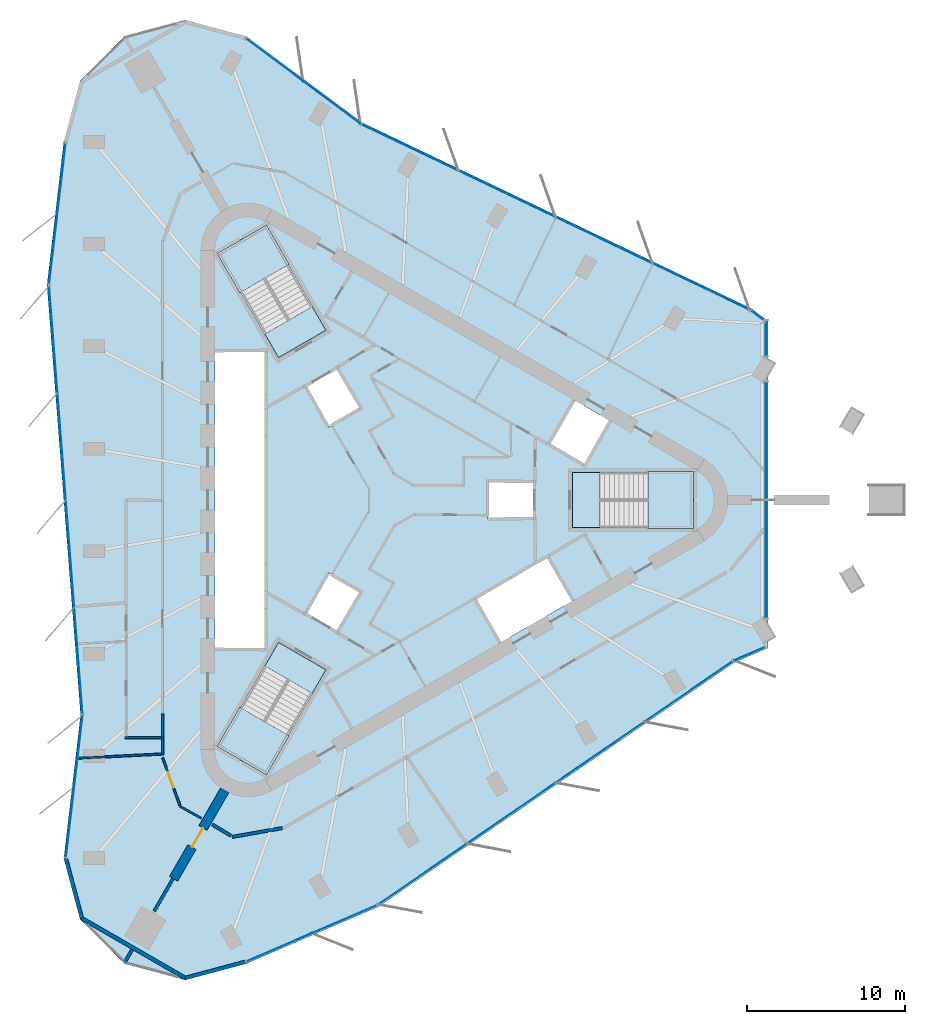
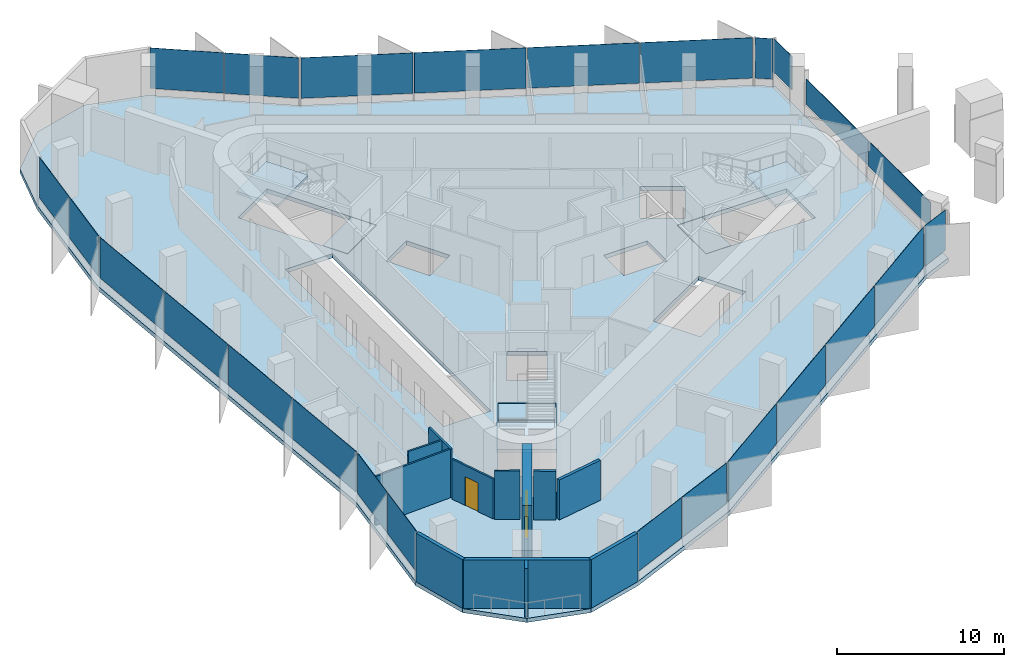
# One storey, part 6 of 12: 25 plates, 13 walls, 7 slabs, 2 doors, 2 openings, 14 elements without a shape of their own.
"""IFC4 building model written with IfcOpenShell, lengths in metres."""

from ifc_helpers import new_model, si_unit, direction, frame, frame_2d, origin, origin_2d, place, context, subcontext, project, spatial, polyline, rectangle, outline, extrude, material, layer, layer_set, type_object, element, fill, aggregate, save


model = new_model("IFC4")

# Units and contexts
model_context = context("Model", 3, precision=1e-05, world=origin(), true_north=direction((0.0, 1.0)))
body_context = subcontext(model_context, "Body", "Model", "MODEL_VIEW")
ifc_project = project(units=[si_unit("LENGTHUNIT", "METRE"), si_unit("AREAUNIT", "SQUARE_METRE"), si_unit("VOLUMEUNIT", "CUBIC_METRE"), si_unit("PLANEANGLEUNIT", "RADIAN"), si_unit("MASSUNIT", "GRAM", prefix="KILO")], contexts=[model_context])

# Site, building, storey
site_placement = place(None, origin())
site = spatial("IfcSite", under=ifc_project, at=site_placement, CompositionType="ELEMENT")
building_placement = place(site_placement, origin())
building = spatial("IfcBuilding", under=site, at=building_placement, Name="Tanit Gate Tower", CompositionType="ELEMENT")
storey_placement = place(building_placement, frame((0.0, 0.0, 388.39990234375)))
storey = spatial("IfcBuildingStorey", under=building, at=storey_placement, Name="L89", CompositionType="ELEMENT", Elevation=388.39990234375)

# Slab
ifc_material_1 = material(Name="Concrete C35/45", Category="concrete")
ifc_layer_1 = layer(ifc_material_1, 0.300048828125)
ifc_layer_set_1 = layer_set([ifc_layer_1], Name="FLOOR SLAB 300 C35/45")
slab_type_1 = type_object("IfcSlabType", Name="FLOOR SLAB 300 C35/45", PredefinedType="FLOOR", material=ifc_layer_set_1)
slab_1_placement = place(storey_placement, frame((0.0, 0.0, -0.2998046875)))
element("IfcSlab", 1, at=slab_1_placement, inside=storey, type_object=slab_type_1, Name="FLOOR SLAB L89", PredefinedType="FLOOR", context=body_context, shape_type="SweptSolid", body=[
    extrude(outline(polyline([(21.5927734375, -10.251220703125), (-0.858642578125, -25.6611328125), (-9.2255859375, -29.26806640625), (-13.061767578125, -30.2958984375), (-16.89794921875, -29.26806640625), (-19.7060546875, -26.459716796875), (-20.73388671875, -22.62353515625), (-19.67431640625, -13.57421875), (-21.793701171875, 13.57421875), (-20.73388671875, 22.62353515625), (-19.7060546875, 26.459716796875), (-16.89794921875, 29.26806640625), (-13.061767578125, 30.2958984375), (-9.2255859375, 29.26806640625), (-1.91845703125, 23.825439453125), (22.652587890625, 12.0869140625), (23.699951171875, 11.306640625), (23.699951171875, -9.3427734375), (29.959716796875, -6.644287109375), (21.5927734375, -10.251220703125)]), holes=[polyline([(11.3701171875, 1.72998046875), (18.929931640625, 1.72998046875), (18.929931640625, -1.72998046875), (11.3701171875, -1.72998046875), (11.3701171875, 1.72998046875)]), polyline([(12.158935546875, 2.159912109375), (9.82080078125, 3.510009765625), (11.44580078125, 6.324462890625), (13.783935546875, 4.974609375), (12.158935546875, 2.159912109375)]), polyline([(11.44580078125, -6.324462890625), (6.76904296875, -9.0244140625), (5.14404296875, -6.2099609375), (9.82080078125, -3.510009765625), (11.44580078125, -6.324462890625)]), polyline([(6.0, 1.199951171875), (9.0, 1.199951171875), (9.0, -1.199951171875), (6.0, -1.199951171875), (6.0, 1.199951171875)]), polyline([(-4.039306640625, 4.59619140625), (-5.539306640625, 7.194091796875), (-3.460693359375, 8.394287109375), (-1.960693359375, 5.796142578125), (-4.039306640625, 4.59619140625)]), polyline([(-1.960693359375, -5.796142578125), (-3.460693359375, -8.394287109375), (-5.539306640625, -7.194091796875), (-4.039306640625, -4.59619140625), (-1.960693359375, -5.796142578125)]), polyline([(-7.18310546875, 8.981689453125), (-10.963134765625, 15.52880859375), (-7.966796875, 17.2587890625), (-4.186767578125, 10.711669921875), (-7.18310546875, 8.981689453125)]), polyline([(-4.186767578125, -10.711669921875), (-7.966796875, -17.2587890625), (-10.963134765625, -15.52880859375), (-7.18310546875, -8.981689453125), (-4.186767578125, -10.711669921875)]), polyline([(-11.199951171875, -9.449951171875), (-11.199951171875, 9.449951171875), (-7.949951171875, 9.449951171875), (-7.949951171875, -9.449951171875), (-11.199951171875, -9.449951171875)])]), origin(), (0.0, 0.0, 1.0), 0.2998046875),
])

# Curtain wall, plate
ifc_material_2 = material(Name="Aluminium bronze anodised and glass", Category="aluminium")
curtain_wall_type_1 = type_object("IfcCurtainWallType", Name="Curtain wall typical high", PredefinedType="NOTDEFINED", material=ifc_material_2)
curtain_wall_1_placement = place(storey_placement, origin())
curtain_wall_1 = element("IfcCurtainWall", 2, at=curtain_wall_1_placement, inside=storey, type_object=curtain_wall_type_1, Name="Curtain wall L89 NE1c", PredefinedType="NOTDEFINED")
ifc_material_3 = material(Name="Glass tinted", Category="glass")
ifc_layer_2 = layer(ifc_material_3, 0.028076171875)
ifc_layer_set_2 = layer_set([ifc_layer_2], Name="Glass panel 28 typical high")
plate_type_1 = type_object("IfcPlateType", Name="Glass panel 28 typical high", PredefinedType="CURTAIN_PANEL", material=ifc_layer_set_2)
plate_1_placement = place(storey_placement, frame((23.08544921875, 11.61474609375, 0.60009765625), z_axis=(0.0, 0.0, 1.0), x_axis=(-0.801987717098, 0.59734052401, 0.0)))
plate_1 = element("IfcPlate", 3, at=plate_1_placement, type_object=plate_type_1, Name="Glass panel L89 NE1c.1", PredefinedType="CURTAIN_PANEL", context=body_context, shape_type="SweptSolid", body=[
    extrude(rectangle(XDim=1.07470703125, YDim=0.028076171875, at=origin_2d()), origin(), (0.0, 0.0, 1.0), 2.949951171875),
])
aggregate(curtain_wall_1, [plate_1])

# Curtain wall, plates
curtain_wall_2_placement = place(storey_placement, origin())
curtain_wall_2 = element("IfcCurtainWall", 4, at=curtain_wall_2_placement, inside=storey, type_object=curtain_wall_type_1, Name="Curtain wall L89 NE2", PredefinedType="NOTDEFINED")
plate_2_placement = place(storey_placement, frame((19.49169921875, 13.4638671875, 0.60009765625), z_axis=(0.0, 0.0, 1.0), x_axis=(-0.902317145415, 0.431072811819, 0.0)))
plate_2 = element("IfcPlate", 5, at=plate_2_placement, type_object=plate_type_1, Name="Glass panel L89 NE2.1", PredefinedType="CURTAIN_PANEL", context=body_context, shape_type="SweptSolid", body=[
    extrude(rectangle(XDim=6.707763671875, YDim=0.028076171875, at=origin_2d()), origin(), (0.0, 0.0, 1.0), 2.949951171875),
])
plate_3_placement = place(storey_placement, frame((13.3671875, 16.389892578125, 0.60009765625), z_axis=(0.0, 0.0, 1.0), x_axis=(-0.902317145415, 0.431072811819, 0.0)))
plate_3 = element("IfcPlate", 6, at=plate_3_placement, type_object=plate_type_1, Name="Glass panel L89 NE2.2", PredefinedType="CURTAIN_PANEL", context=body_context, shape_type="SweptSolid", body=[
    extrude(rectangle(XDim=6.707763671875, YDim=0.028076171875, at=origin_2d()), origin(), (0.0, 0.0, 1.0), 2.949951171875),
])
plate_4_placement = place(storey_placement, frame((7.242431640625, 19.31591796875, 0.60009765625), z_axis=(0.0, 0.0, 1.0), x_axis=(-0.902317145415, 0.431072811819, 0.0)))
plate_4 = element("IfcPlate", 7, at=plate_4_placement, type_object=plate_type_1, Name="Glass panel L89 NE2.3", PredefinedType="CURTAIN_PANEL", context=body_context, shape_type="SweptSolid", body=[
    extrude(rectangle(XDim=6.707763671875, YDim=0.028076171875, at=origin_2d()), origin(), (0.0, 0.0, 1.0), 2.949951171875),
])
plate_5_placement = place(storey_placement, frame((1.11767578125, 22.241943359375, 0.60009765625), z_axis=(0.0, 0.0, 1.0), x_axis=(-0.902317145415, 0.431072811819, 0.0)))
plate_5 = element("IfcPlate", 8, at=plate_5_placement, type_object=plate_type_1, Name="Glass panel L89 NE2.4", PredefinedType="CURTAIN_PANEL", context=body_context, shape_type="SweptSolid", body=[
    extrude(rectangle(XDim=6.707763671875, YDim=0.028076171875, at=origin_2d()), origin(), (0.0, 0.0, 1.0), 2.949951171875),
])
aggregate(curtain_wall_2, [plate_2, plate_3, plate_4, plate_5])

curtain_wall_3_placement = place(storey_placement, origin())
curtain_wall_3 = element("IfcCurtainWall", 9, at=curtain_wall_3_placement, inside=storey, type_object=curtain_wall_type_1, Name="Curtain wall L89 NE3", PredefinedType="NOTDEFINED")
plate_6_placement = place(storey_placement, frame((-3.8212890625, 25.093017578125, 0.60009765625), z_axis=(0.0, 0.0, 1.0), x_axis=(-0.801987717098, 0.59734052401, 0.0)))
plate_6 = element("IfcPlate", 10, at=plate_6_placement, type_object=plate_type_1, Name="Glass panel L89 NE3.1", PredefinedType="CURTAIN_PANEL", context=body_context, shape_type="SweptSolid", body=[
    extrude(rectangle(XDim=4.429931640625, YDim=0.028076171875, at=origin_2d()), origin(), (0.0, 0.0, 1.0), 2.949951171875),
])
plate_7_placement = place(storey_placement, frame((-7.438232421875, 27.787109375, 0.60009765625), z_axis=(0.0, 0.0, 1.0), x_axis=(-0.801987717098, 0.59734052401, 0.0)))
plate_7 = element("IfcPlate", 11, at=plate_7_placement, type_object=plate_type_1, Name="Glass panel L89 NE3.2", PredefinedType="CURTAIN_PANEL", context=body_context, shape_type="SweptSolid", body=[
    extrude(rectangle(XDim=4.429931640625, YDim=0.028076171875, at=origin_2d()), origin(), (0.0, 0.0, 1.0), 2.949951171875),
])
aggregate(curtain_wall_3, [plate_6, plate_7])

curtain_wall_4_placement = place(storey_placement, origin())
curtain_wall_4 = element("IfcCurtainWall", 12, at=curtain_wall_4_placement, inside=storey, type_object=curtain_wall_type_1, Name="Curtain wall L89 W1", PredefinedType="NOTDEFINED")
plate_8_placement = place(storey_placement, frame((-20.882568359375, 20.323974609375, 0.60009765625), z_axis=(0.0, 0.0, 1.0), x_axis=(-0.116318209953, -0.993211998535, 0.0)))
plate_8 = element("IfcPlate", 13, at=plate_8_placement, type_object=plate_type_1, Name="Glass panel L89 W1.1", PredefinedType="CURTAIN_PANEL", context=body_context, shape_type="SweptSolid", body=[
    extrude(rectangle(XDim=4.42529296875, YDim=0.028076171875, at=origin_2d()), origin(), (0.0, 0.0, 1.0), 2.949951171875),
])
plate_9_placement = place(storey_placement, frame((-21.406494140625, 15.84912109375, 0.60009765625), z_axis=(0.0, 0.0, 1.0), x_axis=(-0.116318209953, -0.993211998535, 0.0)))
plate_9 = element("IfcPlate", 14, at=plate_9_placement, type_object=plate_type_1, Name="Glass panel L89 W1.2", PredefinedType="CURTAIN_PANEL", context=body_context, shape_type="SweptSolid", body=[
    extrude(rectangle(XDim=4.425537109375, YDim=0.028076171875, at=origin_2d()), origin(), (0.0, 0.0, 1.0), 2.949951171875),
])
aggregate(curtain_wall_4, [plate_8, plate_9])

curtain_wall_5_placement = place(storey_placement, origin())
curtain_wall_5 = element("IfcCurtainWall", 15, at=curtain_wall_5_placement, inside=storey, type_object=curtain_wall_type_1, Name="Curtain wall L89 W2", PredefinedType="NOTDEFINED")
plate_10_placement = place(storey_placement, frame((-21.406005859375, 10.1484375, 0.60009765625), z_axis=(0.0, 0.0, 1.0), x_axis=(0.077838566791, -0.996965976109, 0.0)))
plate_10 = element("IfcPlate", 16, at=plate_10_placement, type_object=plate_type_1, Name="Glass panel L89 W2.1", PredefinedType="CURTAIN_PANEL", context=body_context, shape_type="SweptSolid", body=[
    extrude(rectangle(XDim=6.707763671875, YDim=0.028076171875, at=origin_2d()), origin(), (0.0, 0.0, 1.0), 2.949951171875),
])
plate_11_placement = place(storey_placement, frame((-20.877685546875, 3.38134765625, 0.60009765625), z_axis=(0.0, 0.0, 1.0), x_axis=(0.077838566791, -0.996965976109, 0.0)))
plate_11 = element("IfcPlate", 17, at=plate_11_placement, type_object=plate_type_1, Name="Glass panel L89 W2.2", PredefinedType="CURTAIN_PANEL", context=body_context, shape_type="SweptSolid", body=[
    extrude(rectangle(XDim=6.707763671875, YDim=0.028076171875, at=origin_2d()), origin(), (0.0, 0.0, 1.0), 2.949951171875),
])
plate_12_placement = place(storey_placement, frame((-20.349365234375, -3.385986328125, 0.60009765625), z_axis=(0.0, 0.0, 1.0), x_axis=(0.077838566791, -0.996965976109, 0.0)))
plate_12 = element("IfcPlate", 18, at=plate_12_placement, type_object=plate_type_1, Name="Glass panel L89 W2.3", PredefinedType="CURTAIN_PANEL", context=body_context, shape_type="SweptSolid", body=[
    extrude(rectangle(XDim=6.707763671875, YDim=0.028076171875, at=origin_2d()), origin(), (0.0, 0.0, 1.0), 2.949951171875),
])
plate_13_placement = place(storey_placement, frame((-19.82080078125, -10.153076171875, 0.60009765625), z_axis=(0.0, 0.0, 1.0), x_axis=(0.077838566791, -0.996965976109, 0.0)))
plate_13 = element("IfcPlate", 19, at=plate_13_placement, type_object=plate_type_1, Name="Glass panel L89 W2.4", PredefinedType="CURTAIN_PANEL", context=body_context, shape_type="SweptSolid", body=[
    extrude(rectangle(XDim=6.707763671875, YDim=0.028076171875, at=origin_2d()), origin(), (0.0, 0.0, 1.0), 2.949951171875),
])
aggregate(curtain_wall_5, [plate_10, plate_11, plate_12, plate_13])

curtain_wall_6_placement = place(storey_placement, origin())
curtain_wall_6 = element("IfcCurtainWall", 20, at=curtain_wall_6_placement, inside=storey, type_object=curtain_wall_type_1, Name="Curtain wall L89 W3", PredefinedType="NOTDEFINED")
plate_14_placement = place(storey_placement, frame((-19.820556640625, -15.85595703125, 0.60009765625), z_axis=(0.0, 0.0, 1.0), x_axis=(-0.116318209953, -0.993211998535, 0.0)))
plate_14 = element("IfcPlate", 21, at=plate_14_placement, type_object=plate_type_1, Name="Glass panel L89 W3.1", PredefinedType="CURTAIN_PANEL", context=body_context, shape_type="SweptSolid", body=[
    extrude(rectangle(XDim=4.429931640625, YDim=0.028076171875, at=origin_2d()), origin(), (0.0, 0.0, 1.0), 2.949951171875),
])
plate_15_placement = place(storey_placement, frame((-20.34521484375, -20.335205078125, 0.60009765625), z_axis=(0.0, 0.0, 1.0), x_axis=(-0.116318209953, -0.993211998535, 0.0)))
plate_15 = element("IfcPlate", 22, at=plate_15_placement, type_object=plate_type_1, Name="Glass panel L89 W3.2", PredefinedType="CURTAIN_PANEL", context=body_context, shape_type="SweptSolid", body=[
    extrude(rectangle(XDim=4.429931640625, YDim=0.028076171875, at=origin_2d()), origin(), (0.0, 0.0, 1.0), 2.949951171875),
])
aggregate(curtain_wall_6, [plate_14, plate_15])

curtain_wall_7_placement = place(storey_placement, origin())
curtain_wall_7 = element("IfcCurtainWall", 23, at=curtain_wall_7_placement, inside=storey, type_object=curtain_wall_type_1, Name="Curtain wall L89 SE1", PredefinedType="NOTDEFINED")
plate_16_placement = place(storey_placement, frame((-7.15966796875, -28.246826171875, 0.60009765625), z_axis=(0.0, 0.0, 1.0), x_axis=(0.918305927051, 0.395871474525, 0.0)))
plate_16 = element("IfcPlate", 24, at=plate_16_placement, type_object=plate_type_1, Name="Glass panel L89 SE1.1", PredefinedType="CURTAIN_PANEL", context=body_context, shape_type="SweptSolid", body=[
    extrude(rectangle(XDim=4.42529296875, YDim=0.028076171875, at=origin_2d()), origin(), (0.0, 0.0, 1.0), 2.949951171875),
])
plate_17_placement = place(storey_placement, frame((-3.0224609375, -26.463134765625, 0.60009765625), z_axis=(0.0, 0.0, 1.0), x_axis=(0.918305927051, 0.395871474525, 0.0)))
plate_17 = element("IfcPlate", 25, at=plate_17_placement, type_object=plate_type_1, Name="Glass panel L89 SE1.2", PredefinedType="CURTAIN_PANEL", context=body_context, shape_type="SweptSolid", body=[
    extrude(rectangle(XDim=4.425537109375, YDim=0.028076171875, at=origin_2d()), origin(), (0.0, 0.0, 1.0), 2.949951171875),
])
aggregate(curtain_wall_7, [plate_16, plate_17])

curtain_wall_8_placement = place(storey_placement, origin())
curtain_wall_8 = element("IfcCurtainWall", 26, at=curtain_wall_8_placement, inside=storey, type_object=curtain_wall_type_1, Name="Curtain wall L89 SE2", PredefinedType="NOTDEFINED")
plate_18_placement = place(storey_placement, frame((1.914306640625, -23.6123046875, 0.60009765625), z_axis=(0.0, 0.0, 1.0), x_axis=(0.824478578624, 0.56589316429, 0.0)))
plate_18 = element("IfcPlate", 27, at=plate_18_placement, type_object=plate_type_1, Name="Glass panel L89 SE2.1", PredefinedType="CURTAIN_PANEL", context=body_context, shape_type="SweptSolid", body=[
    extrude(rectangle(XDim=6.707763671875, YDim=0.028076171875, at=origin_2d()), origin(), (0.0, 0.0, 1.0), 2.949951171875),
])
plate_19_placement = place(storey_placement, frame((7.510498046875, -19.771240234375, 0.60009765625), z_axis=(0.0, 0.0, 1.0), x_axis=(0.824478578624, 0.56589316429, 0.0)))
plate_19 = element("IfcPlate", 28, at=plate_19_placement, type_object=plate_type_1, Name="Glass panel L89 SE2.2", PredefinedType="CURTAIN_PANEL", context=body_context, shape_type="SweptSolid", body=[
    extrude(rectangle(XDim=6.707763671875, YDim=0.028076171875, at=origin_2d()), origin(), (0.0, 0.0, 1.0), 2.949951171875),
])
plate_20_placement = place(storey_placement, frame((13.10693359375, -15.929931640625, 0.60009765625), z_axis=(0.0, 0.0, 1.0), x_axis=(0.824478578624, 0.56589316429, 0.0)))
plate_20 = element("IfcPlate", 29, at=plate_20_placement, type_object=plate_type_1, Name="Glass panel L89 SE2.3", PredefinedType="CURTAIN_PANEL", context=body_context, shape_type="SweptSolid", body=[
    extrude(rectangle(XDim=6.707763671875, YDim=0.028076171875, at=origin_2d()), origin(), (0.0, 0.0, 1.0), 2.949951171875),
])
plate_21_placement = place(storey_placement, frame((18.703369140625, -12.0888671875, 0.60009765625), z_axis=(0.0, 0.0, 1.0), x_axis=(0.824478578624, 0.56589316429, 0.0)))
plate_21 = element("IfcPlate", 30, at=plate_21_placement, type_object=plate_type_1, Name="Glass panel L89 SE2.4", PredefinedType="CURTAIN_PANEL", context=body_context, shape_type="SweptSolid", body=[
    extrude(rectangle(XDim=6.707763671875, YDim=0.028076171875, at=origin_2d()), origin(), (0.0, 0.0, 1.0), 2.949951171875),
])
aggregate(curtain_wall_8, [plate_18, plate_19, plate_20, plate_21])

# Curtain wall, plate
curtain_wall_9_placement = place(storey_placement, origin())
curtain_wall_9 = element("IfcCurtainWall", 31, at=curtain_wall_9_placement, inside=storey, type_object=curtain_wall_type_1, Name="Curtain wall L89 SE3c", PredefinedType="NOTDEFINED")
plate_22_placement = place(storey_placement, frame((22.557373046875, -9.70458984375, 0.60009765625), z_axis=(0.0, 0.0, 1.0), x_axis=(0.918305927051, 0.395871474525, 0.0)))
plate_22 = element("IfcPlate", 32, at=plate_22_placement, type_object=plate_type_1, Name="Glass panel L89 SE3c.1", PredefinedType="CURTAIN_PANEL", context=body_context, shape_type="SweptSolid", body=[
    extrude(rectangle(XDim=2.068115234375, YDim=0.028076171875, at=origin_2d()), origin(), (0.0, 0.0, 1.0), 2.949951171875),
])
aggregate(curtain_wall_9, [plate_22])

ifc_material_4 = material(Name="Aluminium bronze anodised and glass", Category="aluminium")
curtain_wall_type_2 = type_object("IfcCurtainWallType", Name="Curtain wall portal glazing", PredefinedType="NOTDEFINED", material=ifc_material_4)
curtain_wall_10_placement = place(storey_placement, origin())
curtain_wall_10 = element("IfcCurtainWall", 33, at=curtain_wall_10_placement, inside=storey, type_object=curtain_wall_type_2, Name="Curtain wall L89 NOTCH1", PredefinedType="NOTDEFINED")
ifc_material_5 = material(Name="Glass tinted laminated safety", Category="glass")
ifc_layer_3 = layer(ifc_material_5, 0.0439453125)
ifc_layer_set_3 = layer_set([ifc_layer_3], Name="Glass panel 44 portal glazing")
plate_type_2 = type_object("IfcPlateType", Name="Glass panel 44 portal glazing", PredefinedType="CURTAIN_PANEL", material=ifc_layer_set_3)
plate_23_placement = place(storey_placement, frame((23.580078125, 10.21484375, 1.10009765625), z_axis=(0.0, 0.0, 1.0), x_axis=(0.0, -1.0, 0.0)))
plate_23 = element("IfcPlate", 34, at=plate_23_placement, type_object=plate_type_2, Name="Glass panel L89 NOTCH1.1", PredefinedType="CURTAIN_PANEL", context=body_context, shape_type="SweptSolid", body=[
    extrude(rectangle(XDim=2.201171875, YDim=0.0439453125, at=origin_2d()), origin(), (0.0, 0.0, 1.0), 2.449951171875),
])
aggregate(curtain_wall_10, [plate_23])

# Curtain wall, plates
curtain_wall_11_placement = place(storey_placement, origin())
curtain_wall_11 = element("IfcCurtainWall", 35, at=curtain_wall_11_placement, inside=storey, type_object=curtain_wall_type_2, Name="Curtain wall L89 NOTCH2", PredefinedType="NOTDEFINED")
plate_24_placement = place(storey_placement, frame((23.580078125, 3.736083984375, 1.10009765625), z_axis=(0.0, 0.0, 1.0), x_axis=(0.0, -1.0, 0.0)))
plate_24 = element("IfcPlate", 36, at=plate_24_placement, type_object=plate_type_2, Name="Glass panel L89 NOTCH2.1", PredefinedType="CURTAIN_PANEL", context=body_context, shape_type="SweptSolid", body=[
    extrude(rectangle(XDim=7.392333984375, YDim=0.0439453125, at=origin_2d()), origin(), (0.0, 0.0, 1.0), 1.85009765625),
])
plate_25_placement = place(storey_placement, frame((23.580078125, -3.736083984375, 1.10009765625), z_axis=(0.0, 0.0, 1.0), x_axis=(0.0, -1.0, 0.0)))
plate_25 = element("IfcPlate", 37, at=plate_25_placement, type_object=plate_type_2, Name="Glass panel L89 NOTCH2.2", PredefinedType="CURTAIN_PANEL", context=body_context, shape_type="SweptSolid", body=[
    extrude(rectangle(XDim=7.392333984375, YDim=0.0439453125, at=origin_2d()), origin(), (0.0, 0.0, 1.0), 1.85009765625),
])
aggregate(curtain_wall_11, [plate_24, plate_25])

# Stair, slab
ifc_material_6 = material(Name="Concrete C40/50", Category="concrete")
stair_type = type_object("IfcStairType", Name="INT-STAIR-EXIT", PredefinedType="HALF_TURN_STAIR", material=ifc_material_6)
stair_1_placement = place(storey_placement, origin())
stair_1 = element("IfcStair", 38, at=stair_1_placement, inside=storey, type_object=stair_type, Name="L89 STAIR S1", PredefinedType="HALF_TURN_STAIR")
ifc_material_7 = material(Name="Concrete C40/50", Category="concrete")
ifc_layer_4 = layer(ifc_material_7, 0.199951171875)
ifc_layer_set_4 = layer_set([ifc_layer_4], Name="INT-STAIR-LANDING")
slab_type_2 = type_object("IfcSlabType", Name="INT-STAIR-LANDING", PredefinedType="LANDING", material=ifc_layer_set_4)
slab_2_placement = place(storey_placement, frame((0.0, 0.0, 1.75)))
slab_2 = element("IfcSlab", 39, at=slab_2_placement, type_object=slab_type_2, Name="S1 landing 1", PredefinedType="LANDING", context=body_context, shape_type="SweptSolid", body=[
    extrude(outline(polyline([(16.135986328125, -1.800048828125), (19.0, -1.800048828125), (19.0, 1.800048828125), (16.135986328125, 1.800048828125), (16.135986328125, -1.800048828125)])), origin(), (0.0, 0.0, 1.0), 0.2001953125),
])
aggregate(stair_1, [slab_2])

# Slab
slab_3_placement = place(storey_placement, frame((0.0, 0.0, -0.199951171875)))
element("IfcSlab", 40, at=slab_3_placement, inside=storey, type_object=slab_type_2, Name="S1 floor landing", PredefinedType="LANDING", context=body_context, shape_type="SweptSolid", body=[
    extrude(outline(polyline([(11.3798828125, -1.719970703125), (13.10498046875, -1.719970703125), (13.10498046875, 1.719970703125), (11.3798828125, 1.719970703125), (11.3798828125, -1.719970703125)])), origin(), (0.0, 0.0, 1.0), 0.199951171875),
])

# Stair, slab
stair_2_placement = place(storey_placement, origin())
stair_2 = element("IfcStair", 41, at=stair_2_placement, inside=storey, type_object=stair_type, Name="L89 STAIR S2", PredefinedType="HALF_TURN_STAIR")
slab_4_placement = place(storey_placement, frame((0.0, 0.0, 1.75)))
slab_4 = element("IfcSlab", 42, at=slab_4_placement, type_object=slab_type_2, Name="S2 landing 1", PredefinedType="LANDING", context=body_context, shape_type="SweptSolid", body=[
    extrude(outline(polyline([(-6.5078125, 14.871826171875), (-7.941162109375, 17.3544921875), (-11.058837890625, 15.554443359375), (-9.62548828125, 13.07177734375), (-6.5078125, 14.871826171875)])), origin(), (0.0, 0.0, 1.0), 0.2001953125),
])
aggregate(stair_2, [slab_4])

# Slab
slab_5_placement = place(storey_placement, frame((0.0, 0.0, -0.199951171875)))
element("IfcSlab", 43, at=slab_5_placement, inside=storey, type_object=slab_type_2, Name="S2 floor landing", PredefinedType="LANDING", context=body_context, shape_type="SweptSolid", body=[
    extrude(outline(polyline([(-4.200439453125, 10.71533203125), (-5.0625, 12.20849609375), (-8.04150390625, 10.48828125), (-7.179443359375, 8.995361328125), (-4.200439453125, 10.71533203125)])), origin(), (0.0, 0.0, 1.0), 0.199951171875),
])

# Stair, slab
stair_3_placement = place(storey_placement, origin())
stair_3 = element("IfcStair", 44, at=stair_3_placement, inside=storey, type_object=stair_type, Name="L89 STAIR S3", PredefinedType="HALF_TURN_STAIR")
slab_6_placement = place(storey_placement, frame((0.0, 0.0, 1.75)))
slab_6 = element("IfcSlab", 45, at=slab_6_placement, type_object=slab_type_2, Name="S3 landing 1", PredefinedType="LANDING", context=body_context, shape_type="SweptSolid", body=[
    extrude(outline(polyline([(-9.626953125, -13.07421875), (-11.058837890625, -15.554443359375), (-7.941162109375, -17.3544921875), (-6.509033203125, -14.874267578125), (-9.626953125, -13.07421875)])), origin(), (0.0, 0.0, 1.0), 0.2001953125),
])
aggregate(stair_3, [slab_6])

# Slab
slab_7_placement = place(storey_placement, frame((0.0, 0.0, -0.199951171875)))
element("IfcSlab", 46, at=slab_7_placement, inside=storey, type_object=slab_type_2, Name="S3 floor landing", PredefinedType="LANDING", context=body_context, shape_type="SweptSolid", body=[
    extrude(outline(polyline([(-7.179443359375, -8.995361328125), (-8.0419921875, -10.4892578125), (-5.06298828125, -12.209228515625), (-4.200439453125, -10.71533203125), (-7.179443359375, -8.995361328125)])), origin(), (0.0, 0.0, 1.0), 0.199951171875),
])

# Wall, opening, door
ifc_material_8 = material(Name="Concrete C40/50", Category="concrete")
ifc_layer_5 = layer(ifc_material_8, 0.60009765625)
ifc_layer_set_5 = layer_set([ifc_layer_5], Name="BUTTRESS FIN 600 C40/50")
wall_type_1 = type_object("IfcWallType", Name="BUTTRESS FIN 600 C40/50", PredefinedType="SHEAR", material=ifc_layer_set_5)
wall_1_placement = place(storey_placement, frame((-10.574951171875, -18.31640625, 0.0), z_axis=(0.0, 0.0, 1.0), x_axis=(-0.500011655475, -0.866018674388, 0.0)))
wall_1 = element("IfcWall", 47, at=wall_1_placement, inside=storey, type_object=wall_type_1, Name="BUTTRESS FIN", PredefinedType="SHEAR", context=body_context, shape_type="SweptSolid", body=[
    extrude(rectangle(XDim=6.454833984375, YDim=0.60009765625, at=frame_2d((3.2275390625, 0.0))), origin(), (0.0, 0.0, 1.0), 3.900146484375),
])
opening_1_placement = place(wall_1_placement, frame((2.75, 0.0, 0.0)))
opening_1 = element("IfcOpeningElement", 48, at=opening_1_placement, cuts=wall_1, Name="Opening P14-89-F-SW-1", PredefinedType="OPENING", context=body_context, shape_type="SweptSolid", body=[
    extrude(rectangle(XDim=1.39990234375, YDim=2.39990234375, at=frame_2d((0.699951171875, 1.199951171875))), frame((0.0, 0.31005859375, 0.0), z_axis=(0.0, -1.0, 0.0), x_axis=(1.0, 0.0, 0.0)), (0.0, 0.0, 1.0), 0.6201171875),
])
ifc_material_9 = material(Name="Timber door leaf", Category="wood")
door_type_1 = type_object("IfcDoorType", Name="INT-DOOR-FIN-PAIR-1400", OperationType="NOTDEFINED", PredefinedType="NOTDEFINED", material=ifc_material_9)
door_1_placement = place(opening_1_placement, origin())
door_1 = element("IfcDoor", 49, at=door_1_placement, inside=storey, type_object=door_type_1, Name="Door P14-89-F-SW-1", OperationType="DOUBLE_DOOR_SINGLE_SWING", OverallHeight=2.39990234375, OverallWidth=1.39990234375, PredefinedType="NOTDEFINED", context=body_context, shape_type="SweptSolid", body=[
    extrude(rectangle(XDim=1.39990234375, YDim=2.39990234375, at=frame_2d((0.699951171875, 1.199951171875))), frame((0.0, 0.02490234375, 0.0), z_axis=(0.0, -1.0, 0.0), x_axis=(1.0, 0.0, 0.0)), (0.0, 0.0, 1.0), 0.050048828125),
])
fill(opening_1, door_1)

# Walls
ifc_material_10 = material(Name="Concrete C30/37 with bronze anodised aluminium cladding", Category="concrete")
ifc_layer_6 = layer(ifc_material_10, 0.239990234375)
ifc_layer_set_6 = layer_set([ifc_layer_6], Name="Facade wall bronze clad 240")
wall_type_2 = type_object("IfcWallType", Name="Facade wall bronze clad 240", PredefinedType="SOLIDWALL", material=ifc_layer_set_6)
wall_2_placement = place(storey_placement, frame((-20.612060546875, -22.61474609375, 0.0), z_axis=(0.0, 0.0, 1.0), x_axis=(0.258826446974, -0.965923842933, 0.0)))
element("IfcWall", 50, at=wall_2_placement, inside=storey, type_object=wall_type_2, Name="Bronze-clad facade wall L89 SW.arc1", PredefinedType="SOLIDWALL", context=body_context, shape_type="SweptSolid", body=[
    extrude(rectangle(XDim=3.91650390625, YDim=0.239990234375, at=frame_2d((1.958251953125, 0.0))), origin(), (0.0, 0.0, 1.0), 3.550048828125),
])
wall_3_placement = place(storey_placement, frame((-19.598388671875, -26.397705078125, 0.0), z_axis=(0.0, 0.0, 1.0), x_axis=(0.86602506914, -0.500000579621, 0.0)))
element("IfcWall", 51, at=wall_3_placement, inside=storey, type_object=wall_type_2, Name="Bronze-clad facade wall L89 SW.arc2", PredefinedType="SOLIDWALL", context=body_context, shape_type="SweptSolid", body=[
    extrude(rectangle(XDim=7.5478515625, YDim=0.239990234375, at=frame_2d((3.77392578125, 0.0))), origin(), (0.0, 0.0, 1.0), 3.550048828125),
])
wall_4_placement = place(storey_placement, frame((-13.061767578125, -30.171630859375, 0.0), z_axis=(0.0, 0.0, 1.0), x_axis=(0.965923930123, 0.258826121588, 0.0)))
element("IfcWall", 52, at=wall_4_placement, inside=storey, type_object=wall_type_2, Name="Bronze-clad facade wall L89 SW.arc3", PredefinedType="SOLIDWALL", context=body_context, shape_type="SweptSolid", body=[
    extrude(rectangle(XDim=3.9306640625, YDim=0.239990234375, at=frame_2d((1.96533203125, 0.0))), origin(), (0.0, 0.0, 1.0), 3.550048828125),
])
ifc_material_11 = material(Name="Fire-rated gypsum board partition")
ifc_layer_7 = layer(ifc_material_11, 0.199951171875)
ifc_layer_set_7 = layer_set([ifc_layer_7], Name="INT-WALL-COMPARTMENT")
wall_type_3 = type_object("IfcWallType", Name="INT-WALL-COMPARTMENT", PredefinedType="PARTITIONING", material=ifc_layer_set_7)
wall_5_placement = place(storey_placement, frame((-13.828369140625, -23.8916015625, 0.0), z_axis=(0.0, 0.0, 1.0), x_axis=(-0.500037706602, -0.866003632773, 0.0)))
element("IfcWall", 53, at=wall_5_placement, inside=storey, type_object=wall_type_3, Name="Wall Compartment W108", PredefinedType="PARTITIONING", context=body_context, shape_type="SweptSolid", body=[
    extrude(rectangle(XDim=2.390869140625, YDim=0.199951171875, at=frame_2d((1.1953125, 0.0))), origin(), (0.0, 0.0, 1.0), 3.1201171875),
])
wall_6_placement = place(storey_placement, frame((-16.416015625, -28.37353515625, 0.0), z_axis=(0.0, 0.0, 1.0), x_axis=(-0.500033502416, -0.866006060292, 0.0)))
element("IfcWall", 54, at=wall_6_placement, inside=storey, type_object=wall_type_3, Name="Wall Compartment W107", PredefinedType="PARTITIONING", context=body_context, shape_type="SweptSolid", body=[
    extrude(rectangle(XDim=0.88330078125, YDim=0.199951171875, at=frame_2d((0.441650390625, 0.0))), origin(), (0.0, 0.0, 1.0), 3.550048828125),
])
wall_7_placement = place(storey_placement, frame((-10.106201171875, -21.26611328125, 0.0), z_axis=(0.0, 0.0, 1.0), x_axis=(0.984812536294, 0.173621048145, 0.0)))
element("IfcWall", 55, at=wall_7_placement, inside=storey, type_object=wall_type_3, Name="Wall Compartment W118", PredefinedType="PARTITIONING", context=body_context, shape_type="SweptSolid", body=[
    extrude(rectangle(XDim=3.221435546875, YDim=0.199951171875, at=frame_2d((1.61083984375, 0.0))), origin(), (0.0, 0.0, 1.0), 2.920166015625),
])
wall_8_placement = place(storey_placement, frame((-11.36474609375, -20.484375, 0.0), z_axis=(0.0, 0.0, 1.0), x_axis=(0.858000494668, -0.513648859777, 0.0)))
element("IfcWall", 56, at=wall_8_placement, inside=storey, type_object=wall_type_3, Name="Wall Compartment W119", PredefinedType="PARTITIONING", context=body_context, shape_type="SweptSolid", body=[
    extrude(rectangle(XDim=1.35693359375, YDim=0.199951171875, at=frame_2d((0.678466796875, 0.0))), origin(), (0.0, 0.0, 1.0), 3.550048828125),
])
ifc_material_12 = material(Name="Gypsum board partition")
ifc_layer_8 = layer(ifc_material_12, 0.1201171875)
ifc_layer_set_8 = layer_set([ifc_layer_8], Name="INT-WALL-PARTITION")
wall_type_4 = type_object("IfcWallType", Name="INT-WALL-PARTITION", PredefinedType="PARTITIONING", material=ifc_layer_set_8)
wall_9_placement = place(storey_placement, frame((-14.5, -13.488525390625, 0.0), z_axis=(0.0, 0.0, 1.0), x_axis=(0.0, -1.0, 0.0)))
element("IfcWall", 57, at=wall_9_placement, inside=storey, type_object=wall_type_4, Name="Wall Partition W093", PredefinedType="PARTITIONING", context=body_context, shape_type="SweptSolid", body=[
    extrude(rectangle(XDim=2.60302734375, YDim=0.1201171875, at=frame_2d((1.301513671875, 0.0))), origin(), (0.0, 0.0, 1.0), 3.550048828125),
])
wall_10_placement = place(storey_placement, frame((-13.396240234375, -19.33935546875, 0.0), z_axis=(0.0, 0.0, 1.0), x_axis=(0.873758587588, -0.48635987768, 0.0)))
element("IfcWall", 58, at=wall_10_placement, inside=storey, type_object=wall_type_4, Name="Wall Partition W094", PredefinedType="PARTITIONING", context=body_context, shape_type="SweptSolid", body=[
    extrude(rectangle(XDim=1.531982421875, YDim=0.1201171875, at=frame_2d((0.76611328125, 0.0))), origin(), (0.0, 0.0, 1.0), 3.550048828125),
])

# Wall, opening, door
wall_11_placement = place(storey_placement, frame((-14.5, -16.26416015625, 0.0), z_axis=(0.0, 0.0, 1.0), x_axis=(0.341988659139, -0.939704079495, 0.0)))
wall_11 = element("IfcWall", 59, at=wall_11_placement, inside=storey, type_object=wall_type_4, Name="Wall Partition W095", PredefinedType="PARTITIONING", context=body_context, shape_type="SweptSolid", body=[
    extrude(rectangle(XDim=3.1923828125, YDim=0.1201171875, at=frame_2d((1.59619140625, 0.0))), origin(), (0.0, 0.0, 1.0), 2.920166015625),
])
opening_2_placement = place(wall_11_placement, frame((1.00048828125, 0.0, 0.0)))
opening_2 = element("IfcOpeningElement", 60, at=opening_2_placement, cuts=wall_11, Name="Opening D10-89-23", PredefinedType="OPENING", context=body_context, shape_type="SweptSolid", body=[
    extrude(rectangle(XDim=1.0, YDim=2.10009765625, at=frame_2d((0.5, 1.050048828125))), frame((0.0, 0.070068359375, 0.0), z_axis=(0.0, -1.0, 0.0), x_axis=(1.0, 0.0, 0.0)), (0.0, 0.0, 1.0), 0.14013671875),
])
ifc_material_13 = material(Name="Timber door leaf", Category="wood")
door_type_2 = type_object("IfcDoorType", Name="INT-DOOR-SINGLE-1000", OperationType="NOTDEFINED", PredefinedType="NOTDEFINED", material=ifc_material_13)
door_2_placement = place(opening_2_placement, origin())
door_2 = element("IfcDoor", 61, at=door_2_placement, inside=storey, type_object=door_type_2, Name="Door D10-89-23", OperationType="SINGLE_SWING_RIGHT", OverallHeight=2.10009765625, OverallWidth=1.0, PredefinedType="NOTDEFINED", context=body_context, shape_type="SweptSolid", body=[
    extrude(rectangle(XDim=1.0, YDim=2.10009765625, at=frame_2d((0.5, 1.050048828125))), frame((0.0, 0.02490234375, 0.0), z_axis=(0.0, -1.0, 0.0), x_axis=(1.0, 0.0, 0.0)), (0.0, 0.0, 1.0), 0.050048828125),
])
fill(opening_2, door_2)

# Walls
wall_12_placement = place(storey_placement, frame((-16.860107421875, -15.0, 0.0), z_axis=(0.0, 0.0, 1.0), x_axis=(1.0, 0.0, 0.0)))
element("IfcWall", 62, at=wall_12_placement, inside=storey, type_object=wall_type_4, Name="Wall Partition W100", PredefinedType="PARTITIONING", context=body_context, shape_type="SweptSolid", body=[
    extrude(rectangle(XDim=2.300048828125, YDim=0.1201171875, at=frame_2d((1.14990234375, 0.0))), origin(), (0.0, 0.0, 1.0), 3.550048828125),
])
wall_13_placement = place(storey_placement, frame((-14.56005859375, -16.03466796875, 0.0), z_axis=(0.0, 0.0, 1.0), x_axis=(-0.998747756293, -0.050029184483, 0.0)))
element("IfcWall", 63, at=wall_13_placement, inside=storey, type_object=wall_type_4, Name="Wall Partition W106", PredefinedType="PARTITIONING", context=body_context, shape_type="SweptSolid", body=[
    extrude(rectangle(XDim=5.319091796875, YDim=0.1201171875, at=frame_2d((2.65966796875, 0.0))), origin(), (0.0, 0.0, 1.0), 3.550048828125),
])

save(model, "model.ifc")
